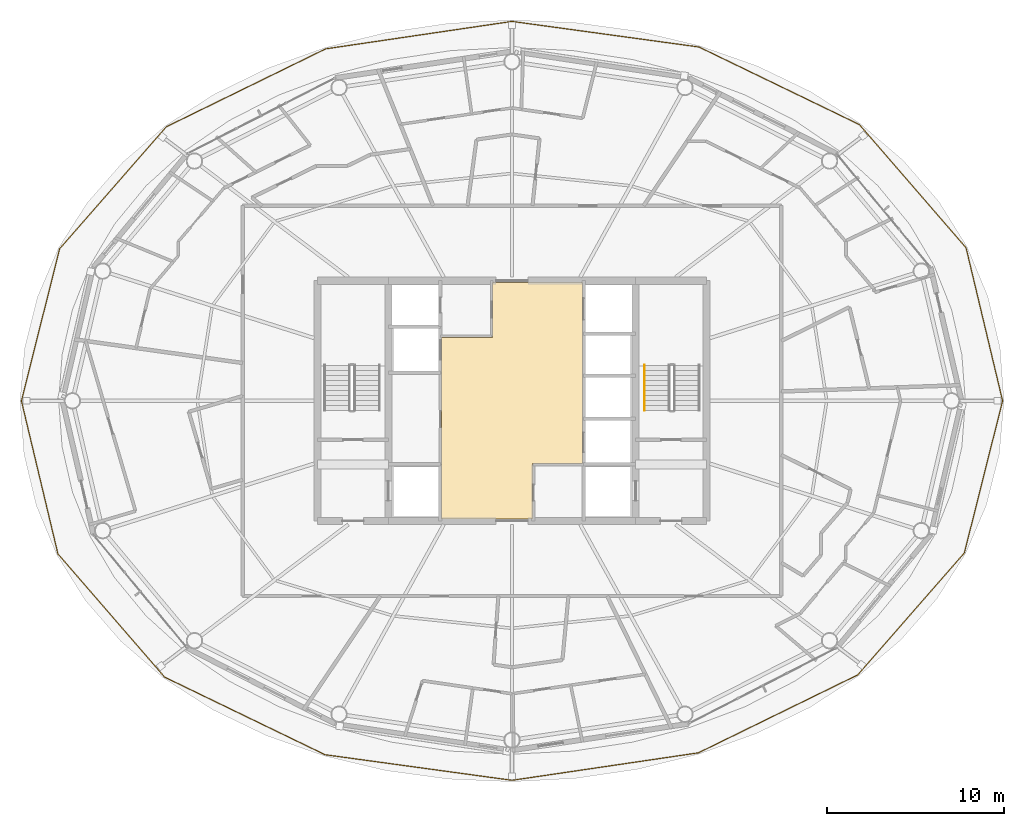
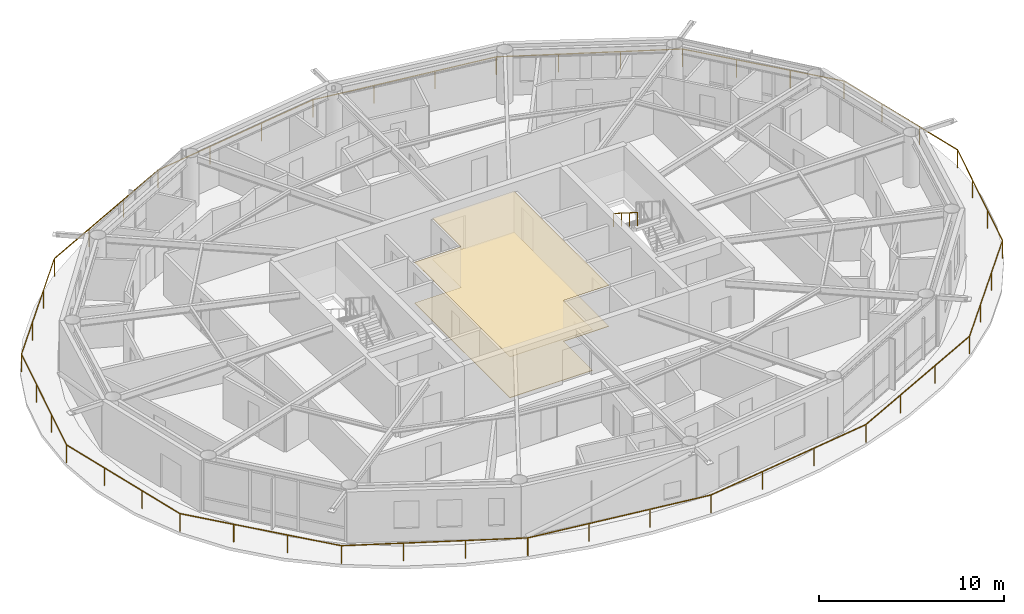
# One storey, part 22 of 23: 2 coverings, 2 railings.
"""IFC4 building model written with IfcOpenShell, lengths in metres."""

import ifcopenshell
import ifcopenshell.guid

model = None  # the IFC model being written
_history = None  # IfcOwnerHistory: only IFC2X3 demands one
_inside = {}  # id of a spatial element -> (the spatial element, [elements in it])
_under = {}  # id of a project, library or spatial element -> (it, [spatial elements below it])
_declared = {}  # id of a project -> (the project, [libraries it declares])
_typed = {}  # id of a type object -> (the type object, [elements of that type])
_made_of = {}  # id of a material, layer set ... -> (it, [elements and type objects made of it])


def new_model(schema):
    """Start an empty IFC model of exactly this schema.

    Asked for "IFC4X3", IfcOpenShell would pick the latest addendum, in which some entities
    have other attributes; the version numbers below select the first issue.
    IFC2X3 requires an IfcOwnerHistory on every rooted entity: one is made here for all.
    """
    global model, _history
    if schema == "IFC4X3":
        model = ifcopenshell.file(schema_version=(4, 3, 0, 0))
    else:
        model = ifcopenshell.file(schema=schema)
    _inside.clear()
    _under.clear()
    _declared.clear()
    _typed.clear()
    _made_of.clear()
    _history = None
    if model.schema == "IFC2X3":
        org = make("IfcOrganization", Name="unknown")
        user = make(
            "IfcPersonAndOrganization",
            ThePerson=make("IfcPerson", FamilyName="unknown"),
            TheOrganization=org,
        )
        app = make(
            "IfcApplication",
            ApplicationDeveloper=org,
            Version="unknown",
            ApplicationFullName="unknown",
            ApplicationIdentifier="unknown",
        )
        _history = make(
            "IfcOwnerHistory",
            OwningUser=user,
            OwningApplication=app,
            ChangeAction="ADDED",
            CreationDate=0,
        )
    return model


def make(cls, **values):
    """One entity of the class cls with the attributes given. An attribute that is None is left unset."""
    return model.create_entity(
        cls, **{name: value for name, value in values.items() if value is not None}
    )


def rooted(cls, **values):
    """An entity with a GlobalId (a new one), such as an element, a storey or a relation."""
    return make(cls, GlobalId=ifcopenshell.guid.new(), OwnerHistory=_history, **values)


def si_unit(unit_type, name, prefix=None):
    """IfcSIUnit, for example si_unit("LENGTHUNIT", "METRE", prefix="MILLI")."""
    return make("IfcSIUnit", UnitType=unit_type, Prefix=prefix, Name=name)


def assignment(units):
    """IfcUnitAssignment: the units of a project."""
    return None if units is None else make("IfcUnitAssignment", Units=units)


def point(xyz):
    """IfcCartesianPoint."""
    return None if xyz is None else make("IfcCartesianPoint", Coordinates=xyz)


def direction(xyz):
    """IfcDirection."""
    return None if xyz is None else make("IfcDirection", DirectionRatios=xyz)


def frame(location, z_axis=None, x_axis=None):
    """IfcAxis2Placement3D, a coordinate frame: its origin and axes. An axis left out is left unset."""
    return make(
        "IfcAxis2Placement3D",
        Location=point(location),
        Axis=direction(z_axis),
        RefDirection=direction(x_axis),
    )


def frame_2d(location, x_axis=None):
    """IfcAxis2Placement2D, a coordinate frame in the plane: its origin and x axis."""
    return make(
        "IfcAxis2Placement2D", Location=point(location), RefDirection=direction(x_axis)
    )


def origin():
    """The frame at (0, 0, 0) with its axes left unset."""
    return frame((0.0, 0.0, 0.0))


def origin_2d():
    """The frame at (0, 0) in the plane with its x axis left unset."""
    return frame_2d((0.0, 0.0))


def place(relative_to, where):
    """IfcLocalPlacement: puts the frame where relative to a parent placement (None: the world)."""
    return make(
        "IfcLocalPlacement", PlacementRelTo=relative_to, RelativePlacement=where
    )


def context(
    kind, dimensions, precision=None, world=None, true_north=None, identifier=None
):
    """IfcGeometricRepresentationContext, for example the 3D "Model" context."""
    return make(
        "IfcGeometricRepresentationContext",
        ContextIdentifier=identifier,
        ContextType=kind,
        CoordinateSpaceDimension=dimensions,
        Precision=precision,
        WorldCoordinateSystem=world,
        TrueNorth=true_north,
    )


def subcontext(parent, identifier, kind, view, scale=None):
    """IfcGeometricRepresentationSubContext, for example "Body" below "Model"."""
    return make(
        "IfcGeometricRepresentationSubContext",
        ContextIdentifier=identifier,
        ContextType=kind,
        ParentContext=parent,
        TargetScale=scale,
        TargetView=view,
    )


def project(units=None, contexts=None):
    """IfcProject with its units and contexts."""
    return rooted(
        "IfcProject",
        Name="project",
        RepresentationContexts=contexts,
        UnitsInContext=assignment(units),
    )


def spatial(cls, under=None, at=None, **own):
    """A site, building, storey or space (cls), placed at a placement, below another one or the project."""
    s = rooted(cls, ObjectPlacement=at, **own)
    if under is not None:
        _under.setdefault(under.id(), (under, []))[1].append(s)
    return s


def polyline(points):
    """IfcPolyline through the points."""
    return make("IfcPolyline", Points=[point(p) for p in points])


def profile(cls, at=None, kind="AREA", **sizes):
    """A parametric profile (cls). Its sizes go by their IFC names, for example OverallWidth=200.0."""
    return make(cls, ProfileType=kind, Position=at, **sizes)


def rectangle(**sizes):
    """IfcRectangleProfileDef."""
    return profile("IfcRectangleProfileDef", **sizes)


def outline(outer, holes=None, kind="AREA"):
    """IfcArbitraryClosedProfileDef: a profile drawn as a closed curve; with holes, ...WithVoids."""
    if holes is None:
        return make("IfcArbitraryClosedProfileDef", ProfileType=kind, OuterCurve=outer)
    return make(
        "IfcArbitraryProfileDefWithVoids",
        ProfileType=kind,
        OuterCurve=outer,
        InnerCurves=holes,
    )


def extrude(swept, where, along, depth):
    """IfcExtrudedAreaSolid: the profile swept, set in the frame where, extruded along a direction by depth."""
    return make(
        "IfcExtrudedAreaSolid",
        SweptArea=swept,
        Position=where,
        ExtrudedDirection=direction(along),
        Depth=depth,
    )


def shape(context_of_items, identifier, shape_type, items):
    """IfcShapeRepresentation: the items that make up one representation, for example the "Body"."""
    return make(
        "IfcShapeRepresentation",
        ContextOfItems=context_of_items,
        RepresentationIdentifier=identifier,
        RepresentationType=shape_type,
        Items=items,
    )


def material(Name=None, Category=None):
    """IfcMaterial."""
    return make("IfcMaterial", Name=Name, Category=Category)


def layer(
    of_material, thickness, ventilated=None, Name=None, Category=None, Priority=None
):
    """IfcMaterialLayer: one layer of a wall or slab, of a material (None: an air gap)."""
    return make(
        "IfcMaterialLayer",
        Material=of_material,
        LayerThickness=thickness,
        IsVentilated=ventilated,
        Name=Name,
        Category=Category,
        Priority=Priority,
    )


def layer_set(layers, Name=None):
    """IfcMaterialLayerSet."""
    return make("IfcMaterialLayerSet", MaterialLayers=layers, LayerSetName=Name)


def made_of(thing, what):
    """Note that an element or type object is made of a material, layer set ...; save() writes the relation."""
    if what is not None:
        _made_of.setdefault(what.id(), (what, []))[1].append(thing)
    return thing


def type_object(cls, material=None, **own):
    """A type object (cls), such as IfcWallType, which elements share."""
    return made_of(rooted(cls, **own), material)


def element(
    cls,
    number,
    at=None,
    inside=None,
    cuts=None,
    type_object=None,
    material=None,
    context=None,
    identifier="Body",
    shape_type=None,
    held_by="IfcProductDefinitionShape",
    body=None,
    shapes=None,
    **own,
):
    """One element of the class cls, such as IfcWall. Its Tag is "e" and its number.

    at: its placement. inside: the storey or other place that contains it. cuts: it is an
    opening in that element (IfcRelVoidsElement). A single representation is given by context,
    identifier, shape_type and body (its items); several are given by shapes. held_by: the class
    of the entity that holds the representations. save() writes the other relations.
    """
    e = rooted(cls, Tag="e%d" % number, ObjectPlacement=at, **own)
    if body is not None:
        shapes = [shape(context, identifier, shape_type, body)]
    if shapes is not None:
        e.Representation = make(held_by, Representations=shapes)
    if inside is not None:
        _inside.setdefault(inside.id(), (inside, []))[1].append(e)
    if cuts is not None:
        rooted(
            "IfcRelVoidsElement", RelatingBuildingElement=cuts, RelatedOpeningElement=e
        )
    if type_object is not None:
        _typed.setdefault(type_object.id(), (type_object, []))[1].append(e)
    return made_of(e, material)


def aggregate(whole, parts):
    """IfcRelAggregates: a whole, such as a stair, and the parts it consists of."""
    return rooted("IfcRelAggregates", RelatingObject=whole, RelatedObjects=parts)


def save(model, path):
    """Write the relations noted so far, then the file.

    IfcRelAggregates (storeys below a building ...), IfcRelContainedInSpatialStructure (elements
    in a storey), IfcRelDefinesByType, IfcRelAssociatesMaterial and IfcRelDeclares: one each for
    every whole, place, type object, material and project.
    """
    for whole, parts in _under.values():
        aggregate(whole, parts)
    for where, things in _inside.values():
        rooted(
            "IfcRelContainedInSpatialStructure",
            RelatedElements=things,
            RelatingStructure=where,
        )
    for kind, things in _typed.values():
        rooted("IfcRelDefinesByType", RelatedObjects=things, RelatingType=kind)
    for what, things in _made_of.values():
        rooted("IfcRelAssociatesMaterial", RelatedObjects=things, RelatingMaterial=what)
    for by, libraries in _declared.values():
        rooted("IfcRelDeclares", RelatingContext=by, RelatedDefinitions=libraries)
    model.write(path)


model = new_model("IFC4")

# Units and contexts
model_context = context("Model", 3, precision=1e-05, world=origin(), true_north=direction((0.0, 1.0)))
body_context = subcontext(model_context, "Body", "Model", "MODEL_VIEW")
ifc_project = project(units=[si_unit("LENGTHUNIT", "METRE"), si_unit("AREAUNIT", "SQUARE_METRE"), si_unit("VOLUMEUNIT", "CUBIC_METRE"), si_unit("PLANEANGLEUNIT", "RADIAN"), si_unit("MASSUNIT", "GRAM", prefix="KILO")], contexts=[model_context])

# Site, building, storey
site_placement = place(None, origin())
site = spatial("IfcSite", under=ifc_project, at=site_placement, CompositionType="ELEMENT")
building_placement = place(site_placement, origin())
building = spatial("IfcBuilding", under=site, at=building_placement, Name="Sarneth Arch Tower", CompositionType="ELEMENT")
storey_placement = place(building_placement, frame((0.0, 0.0, 228.0)))
storey = spatial("IfcBuildingStorey", under=building, at=storey_placement, Name="L58", CompositionType="ELEMENT", Elevation=228.0)

# Coverings
ifc_material_1 = material(Name="Perforated acoustic gypsum ceiling board")
ifc_layer_1 = layer(ifc_material_1, 0.02490234375)
ifc_layer_set_1 = layer_set([ifc_layer_1], Name="Perforated acoustic gypsum ceiling board")
covering_type_1 = type_object("IfcCoveringType", Name="COV-CEIL-GYP", PredefinedType="CEILING", material=ifc_layer_set_1)
covering_1_placement = place(storey_placement, frame((0.0, 0.0, 2.68994140625)))
element("IfcCovering", 1, at=covering_1_placement, inside=storey, type_object=covering_type_1, Name="L58 Lift lobby acoustic ceiling", PredefinedType="CEILING", context=body_context, shape_type="SweptSolid", body=[
    extrude(outline(polyline([(49.14990234375, 38.449951171875), (49.14990234375, 35.300048828125), (44.0, 35.300048828125), (44.0, 45.60009765625), (46.89990234375, 45.60009765625), (46.89990234375, 48.699951171875), (52.0, 48.699951171875), (52.0, 38.449951171875), (49.14990234375, 38.449951171875)])), origin(), (0.0, 0.0, 1.0), 0.030029296875),
])
ifc_material_2 = material(Name="Honed granite stone flooring", Category="masonry")
ifc_layer_2 = layer(ifc_material_2, 0.030029296875)
ifc_layer_set_2 = layer_set([ifc_layer_2], Name="Honed granite stone flooring")
covering_type_2 = type_object("IfcCoveringType", Name="COV-FLR-STONE", PredefinedType="FLOORING", material=ifc_layer_set_2)
covering_2_placement = place(storey_placement, origin())
element("IfcCovering", 2, at=covering_2_placement, inside=storey, type_object=covering_type_2, Name="L58 Lift lobby granite flooring", PredefinedType="FLOORING", context=body_context, shape_type="SweptSolid", body=[
    extrude(outline(polyline([(49.14990234375, 38.449951171875), (49.14990234375, 35.300048828125), (44.0, 35.300048828125), (44.0, 45.60009765625), (46.89990234375, 45.60009765625), (46.89990234375, 48.699951171875), (52.0, 48.699951171875), (52.0, 38.449951171875), (49.14990234375, 38.449951171875)])), origin(), (0.0, 0.0, 1.0), 0.030029296875),
])

# Railings
ifc_material_3 = material(Name="Laminated structural glass infill with Stainless Steel 316 top rail and posts", Category="steel")
railing_type_1 = type_object("IfcRailingType", Name="RAIL-BALC-1200", PredefinedType="BALUSTRADE", material=ifc_material_3)
railing_1_placement = place(storey_placement, frame((75.771240234375, 42.0, 0.0)))
element("IfcRailing", 3, at=railing_1_placement, inside=storey, type_object=railing_type_1, Name="L58 Helical balcony glass balustrade", PredefinedType="BALUSTRADE", context=body_context, shape_type="SweptSolid", body=[
    extrude(rectangle(XDim=0.048095703125, YDim=0.048095703125, at=origin_2d()), frame((0.0, 0.0, 1.17578125), z_axis=(-0.232119489564, 0.972687278916, 0.0), x_axis=(-0.972687278916, -0.232119489564, 0.0)), (0.0, 0.0, 1.0), 8.90771484375),
    extrude(rectangle(XDim=0.048095703125, YDim=0.048095703125, at=origin_2d()), frame((-2.067626953125, 8.664306640625, 1.17578125), z_axis=(-0.654633322605, 0.755946567513, 0.0), x_axis=(-0.755946567513, -0.654633322605, 0.0)), (0.0, 0.0, 1.0), 9.22705078125),
    extrude(rectangle(XDim=0.048095703125, YDim=0.048095703125, at=origin_2d()), frame((-8.10791015625, 15.639404296875, 1.17578125), z_axis=(-0.900246181565, 0.435381226718, 0.0), x_axis=(-0.435381226718, -0.900246181565, 0.0)), (0.0, 0.0, 1.0), 10.085693359375),
    extrude(rectangle(XDim=0.048095703125, YDim=0.048095703125, at=origin_2d()), frame((-17.1875, 20.030517578125, 1.17578125), z_axis=(-0.990755055436, 0.135662891492, 0.0), x_axis=(-0.135662891492, -0.990755055436, 0.0)), (0.0, 0.0, 1.0), 10.6826171875),
    extrude(rectangle(XDim=0.048095703125, YDim=0.048095703125, at=origin_2d()), frame((-27.771240234375, 21.479736328125, 1.17578125), z_axis=(-0.989310134259, -0.145826809099, 0.0), x_axis=(0.145826809099, -0.989310134259, 0.0)), (0.0, 0.0, 1.0), 10.66455078125),
    extrude(rectangle(XDim=0.048095703125, YDim=0.048095703125, at=origin_2d()), frame((-38.32177734375, 19.924560546875, 1.17578125), z_axis=(-0.898308221869, -0.439365836772, 0.0), x_axis=(0.439365836772, -0.898308221869, 0.0)), (0.0, 0.0, 1.0), 10.039306640625),
    extrude(rectangle(XDim=0.048095703125, YDim=0.048095703125, at=origin_2d()), frame((-47.340087890625, 15.513671875, 1.17578125), z_axis=(-0.658318010523, -0.752739926549, 0.0), x_axis=(0.752739926549, -0.658318010523, 0.0)), (0.0, 0.0, 1.0), 9.171142578125),
    extrude(rectangle(XDim=0.048095703125, YDim=0.048095703125, at=origin_2d()), frame((-53.377685546875, 8.610107421875, 1.17578125), z_axis=(-0.243835960454, -0.969816490058, 0.0), x_axis=(0.969816490058, -0.243835960454, 0.0)), (0.0, 0.0, 1.0), 8.878173828125),
    extrude(rectangle(XDim=0.048095703125, YDim=0.048095703125, at=origin_2d()), frame((-55.54248046875, 0.0, 1.17578125), z_axis=(0.232119489564, -0.972687278916, 0.0), x_axis=(0.972687278916, 0.232119489564, 0.0)), (0.0, 0.0, 1.0), 8.90771484375),
    extrude(rectangle(XDim=0.048095703125, YDim=0.048095703125, at=origin_2d()), frame((-53.474853515625, -8.664306640625, 1.17578125), z_axis=(0.654633322605, -0.755946567513, 0.0), x_axis=(0.755946567513, 0.654633322605, 0.0)), (0.0, 0.0, 1.0), 9.22705078125),
    extrude(rectangle(XDim=0.048095703125, YDim=0.048095703125, at=origin_2d()), frame((-47.4345703125, -15.639404296875, 1.17578125), z_axis=(0.900246181565, -0.435381226718, 0.0), x_axis=(0.435381226718, 0.900246181565, 0.0)), (0.0, 0.0, 1.0), 10.085693359375),
    extrude(rectangle(XDim=0.048095703125, YDim=0.048095703125, at=origin_2d()), frame((-38.35498046875, -20.030517578125, 1.17578125), z_axis=(0.990755055436, -0.135662891492, 0.0), x_axis=(0.135662891492, 0.990755055436, 0.0)), (0.0, 0.0, 1.0), 10.6826171875),
    extrude(rectangle(XDim=0.048095703125, YDim=0.048095703125, at=origin_2d()), frame((-27.771240234375, -21.479736328125, 1.17578125), z_axis=(0.989310134259, 0.145826809099, 0.0), x_axis=(-0.145826809099, 0.989310134259, 0.0)), (0.0, 0.0, 1.0), 10.66455078125),
    extrude(rectangle(XDim=0.048095703125, YDim=0.048095703125, at=origin_2d()), frame((-17.220703125, -19.924560546875, 1.17578125), z_axis=(0.898308221869, 0.439365836772, 0.0), x_axis=(-0.439365836772, 0.898308221869, 0.0)), (0.0, 0.0, 1.0), 10.039306640625),
    extrude(rectangle(XDim=0.048095703125, YDim=0.048095703125, at=origin_2d()), frame((-8.202392578125, -15.513671875, 1.17578125), z_axis=(0.658318010523, 0.752739926549, 0.0), x_axis=(-0.752739926549, 0.658318010523, 0.0)), (0.0, 0.0, 1.0), 9.171142578125),
    extrude(rectangle(XDim=0.048095703125, YDim=0.048095703125, at=origin_2d()), frame((-2.164794921875, -8.610107421875, 1.17578125), z_axis=(0.243835960454, 0.969816490058, 0.0), x_axis=(-0.969816490058, 0.243835960454, 0.0)), (0.0, 0.0, 1.0), 8.878173828125),
    extrude(rectangle(XDim=0.0419921875, YDim=0.0419921875, at=origin_2d()), origin(), (0.0, 0.0, 1.0), 1.15185546875),
    extrude(rectangle(XDim=0.0419921875, YDim=0.0419921875, at=origin_2d()), frame((-0.689208984375, 2.88818359375, 0.0)), (0.0, 0.0, 1.0), 1.15185546875),
    extrude(rectangle(XDim=0.0419921875, YDim=0.0419921875, at=origin_2d()), frame((-1.37841796875, 5.776123046875, 0.0)), (0.0, 0.0, 1.0), 1.15185546875),
    extrude(rectangle(XDim=0.0419921875, YDim=0.0419921875, at=origin_2d()), frame((-2.067626953125, 8.664306640625, 0.0)), (0.0, 0.0, 1.0), 1.15185546875),
    extrude(rectangle(XDim=0.0419921875, YDim=0.0419921875, at=origin_2d()), frame((-4.0810546875, 10.9892578125, 0.0)), (0.0, 0.0, 1.0), 1.15185546875),
    extrude(rectangle(XDim=0.0419921875, YDim=0.0419921875, at=origin_2d()), frame((-6.094482421875, 13.314453125, 0.0)), (0.0, 0.0, 1.0), 1.15185546875),
    extrude(rectangle(XDim=0.0419921875, YDim=0.0419921875, at=origin_2d()), frame((-8.10791015625, 15.639404296875, 0.0)), (0.0, 0.0, 1.0), 1.15185546875),
    extrude(rectangle(XDim=0.0419921875, YDim=0.0419921875, at=origin_2d()), frame((-11.134521484375, 17.10302734375, 0.0)), (0.0, 0.0, 1.0), 1.15185546875),
    extrude(rectangle(XDim=0.0419921875, YDim=0.0419921875, at=origin_2d()), frame((-14.160888671875, 18.56689453125, 0.0)), (0.0, 0.0, 1.0), 1.15185546875),
    extrude(rectangle(XDim=0.0419921875, YDim=0.0419921875, at=origin_2d()), frame((-17.1875, 20.030517578125, 0.0)), (0.0, 0.0, 1.0), 1.15185546875),
    extrude(rectangle(XDim=0.0419921875, YDim=0.0419921875, at=origin_2d()), frame((-20.71533203125, 20.513671875, 0.0)), (0.0, 0.0, 1.0), 1.15185546875),
    extrude(rectangle(XDim=0.0419921875, YDim=0.0419921875, at=origin_2d()), frame((-24.243408203125, 20.99658203125, 0.0)), (0.0, 0.0, 1.0), 1.15185546875),
    extrude(rectangle(XDim=0.0419921875, YDim=0.0419921875, at=origin_2d()), frame((-27.771240234375, 21.479736328125, 0.0)), (0.0, 0.0, 1.0), 1.15185546875),
    extrude(rectangle(XDim=0.0419921875, YDim=0.0419921875, at=origin_2d()), frame((-31.2880859375, 20.96142578125, 0.0)), (0.0, 0.0, 1.0), 1.15185546875),
    extrude(rectangle(XDim=0.0419921875, YDim=0.0419921875, at=origin_2d()), frame((-34.804931640625, 20.44287109375, 0.0)), (0.0, 0.0, 1.0), 1.15185546875),
    extrude(rectangle(XDim=0.0419921875, YDim=0.0419921875, at=origin_2d()), frame((-38.32177734375, 19.924560546875, 0.0)), (0.0, 0.0, 1.0), 1.15185546875),
    extrude(rectangle(XDim=0.0419921875, YDim=0.0419921875, at=origin_2d()), frame((-41.327880859375, 18.454345703125, 0.0)), (0.0, 0.0, 1.0), 1.15185546875),
    extrude(rectangle(XDim=0.0419921875, YDim=0.0419921875, at=origin_2d()), frame((-44.333984375, 16.98388671875, 0.0)), (0.0, 0.0, 1.0), 1.15185546875),
    extrude(rectangle(XDim=0.0419921875, YDim=0.0419921875, at=origin_2d()), frame((-47.340087890625, 15.513671875, 0.0)), (0.0, 0.0, 1.0), 1.15185546875),
    extrude(rectangle(XDim=0.0419921875, YDim=0.0419921875, at=origin_2d()), frame((-49.3525390625, 13.21240234375, 0.0)), (0.0, 0.0, 1.0), 1.15185546875),
    extrude(rectangle(XDim=0.0419921875, YDim=0.0419921875, at=origin_2d()), frame((-51.365234375, 10.911376953125, 0.0)), (0.0, 0.0, 1.0), 1.15185546875),
    extrude(rectangle(XDim=0.0419921875, YDim=0.0419921875, at=origin_2d()), frame((-53.377685546875, 8.610107421875, 0.0)), (0.0, 0.0, 1.0), 1.15185546875),
    extrude(rectangle(XDim=0.0419921875, YDim=0.0419921875, at=origin_2d()), frame((-54.099365234375, 5.739990234375, 0.0)), (0.0, 0.0, 1.0), 1.15185546875),
    extrude(rectangle(XDim=0.0419921875, YDim=0.0419921875, at=origin_2d()), frame((-54.82080078125, 2.8701171875, 0.0)), (0.0, 0.0, 1.0), 1.15185546875),
    extrude(rectangle(XDim=0.0419921875, YDim=0.0419921875, at=origin_2d()), frame((-55.54248046875, 0.0, 0.0)), (0.0, 0.0, 1.0), 1.15185546875),
    extrude(rectangle(XDim=0.0419921875, YDim=0.0419921875, at=origin_2d()), frame((-54.853271484375, -2.88818359375, 0.0)), (0.0, 0.0, 1.0), 1.15185546875),
    extrude(rectangle(XDim=0.0419921875, YDim=0.0419921875, at=origin_2d()), frame((-54.1640625, -5.776123046875, 0.0)), (0.0, 0.0, 1.0), 1.15185546875),
    extrude(rectangle(XDim=0.0419921875, YDim=0.0419921875, at=origin_2d()), frame((-53.474853515625, -8.664306640625, 0.0)), (0.0, 0.0, 1.0), 1.15185546875),
    extrude(rectangle(XDim=0.0419921875, YDim=0.0419921875, at=origin_2d()), frame((-51.46142578125, -10.9892578125, 0.0)), (0.0, 0.0, 1.0), 1.15185546875),
    extrude(rectangle(XDim=0.0419921875, YDim=0.0419921875, at=origin_2d()), frame((-49.447998046875, -13.314453125, 0.0)), (0.0, 0.0, 1.0), 1.15185546875),
    extrude(rectangle(XDim=0.0419921875, YDim=0.0419921875, at=origin_2d()), frame((-47.4345703125, -15.639404296875, 0.0)), (0.0, 0.0, 1.0), 1.15185546875),
    extrude(rectangle(XDim=0.0419921875, YDim=0.0419921875, at=origin_2d()), frame((-44.407958984375, -17.10302734375, 0.0)), (0.0, 0.0, 1.0), 1.15185546875),
    extrude(rectangle(XDim=0.0419921875, YDim=0.0419921875, at=origin_2d()), frame((-41.381591796875, -18.56689453125, 0.0)), (0.0, 0.0, 1.0), 1.15185546875),
    extrude(rectangle(XDim=0.0419921875, YDim=0.0419921875, at=origin_2d()), frame((-38.35498046875, -20.030517578125, 0.0)), (0.0, 0.0, 1.0), 1.15185546875),
    extrude(rectangle(XDim=0.0419921875, YDim=0.0419921875, at=origin_2d()), frame((-34.8271484375, -20.513671875, 0.0)), (0.0, 0.0, 1.0), 1.15185546875),
    extrude(rectangle(XDim=0.0419921875, YDim=0.0419921875, at=origin_2d()), frame((-31.299072265625, -20.99658203125, 0.0)), (0.0, 0.0, 1.0), 1.15185546875),
    extrude(rectangle(XDim=0.0419921875, YDim=0.0419921875, at=origin_2d()), frame((-27.771240234375, -21.479736328125, 0.0)), (0.0, 0.0, 1.0), 1.15185546875),
    extrude(rectangle(XDim=0.0419921875, YDim=0.0419921875, at=origin_2d()), frame((-24.25439453125, -20.96142578125, 0.0)), (0.0, 0.0, 1.0), 1.15185546875),
    extrude(rectangle(XDim=0.0419921875, YDim=0.0419921875, at=origin_2d()), frame((-20.737548828125, -20.44287109375, 0.0)), (0.0, 0.0, 1.0), 1.15185546875),
    extrude(rectangle(XDim=0.0419921875, YDim=0.0419921875, at=origin_2d()), frame((-17.220703125, -19.924560546875, 0.0)), (0.0, 0.0, 1.0), 1.15185546875),
    extrude(rectangle(XDim=0.0419921875, YDim=0.0419921875, at=origin_2d()), frame((-14.214599609375, -18.454345703125, 0.0)), (0.0, 0.0, 1.0), 1.15185546875),
    extrude(rectangle(XDim=0.0419921875, YDim=0.0419921875, at=origin_2d()), frame((-11.20849609375, -16.98388671875, 0.0)), (0.0, 0.0, 1.0), 1.15185546875),
    extrude(rectangle(XDim=0.0419921875, YDim=0.0419921875, at=origin_2d()), frame((-8.202392578125, -15.513671875, 0.0)), (0.0, 0.0, 1.0), 1.15185546875),
    extrude(rectangle(XDim=0.0419921875, YDim=0.0419921875, at=origin_2d()), frame((-6.18994140625, -13.21240234375, 0.0)), (0.0, 0.0, 1.0), 1.15185546875),
    extrude(rectangle(XDim=0.0419921875, YDim=0.0419921875, at=origin_2d()), frame((-4.17724609375, -10.911376953125, 0.0)), (0.0, 0.0, 1.0), 1.15185546875),
    extrude(rectangle(XDim=0.0419921875, YDim=0.0419921875, at=origin_2d()), frame((-2.164794921875, -8.610107421875, 0.0)), (0.0, 0.0, 1.0), 1.15185546875),
    extrude(rectangle(XDim=0.0419921875, YDim=0.0419921875, at=origin_2d()), frame((-1.443115234375, -5.739990234375, 0.0)), (0.0, 0.0, 1.0), 1.15185546875),
    extrude(rectangle(XDim=0.0419921875, YDim=0.0419921875, at=origin_2d()), frame((-0.7216796875, -2.8701171875, 0.0)), (0.0, 0.0, 1.0), 1.15185546875),
])
ifc_material_4 = material(Name="Brushed Stainless Steel 304 tubular handrail", Category="steel")
railing_type_2 = type_object("IfcRailingType", Name="RAIL-HANDRAIL-900", PredefinedType="HANDRAIL", material=ifc_material_4)
railing_2_placement = place(storey_placement, frame((55.5, 44.014892578125, 1.97998046875)))
element("IfcRailing", 4, at=railing_2_placement, inside=storey, type_object=railing_type_2, Name="L58 ST-2 stair handrail 2", PredefinedType="HANDRAIL", context=body_context, shape_type="SweptSolid", body=[
    extrude(rectangle(XDim=0.048095703125, YDim=0.048095703125, at=origin_2d()), frame((0.0, 0.0, 0.8759765625), z_axis=(0.0, -0.845465955043, 0.534029323973), x_axis=(1.0, 0.0, 0.0)), (0.0, 0.0, 1.0), 3.03369140625),
    extrude(rectangle(XDim=0.0419921875, YDim=0.0419921875, at=origin_2d()), origin(), (0.0, 0.0, 1.0), 0.851806640625),
    extrude(rectangle(XDim=0.0419921875, YDim=0.0419921875, at=origin_2d()), frame((0.0, -0.85498046875, 0.5400390625)), (0.0, 0.0, 1.0), 0.851806640625),
    extrude(rectangle(XDim=0.0419921875, YDim=0.0419921875, at=origin_2d()), frame((0.0, -1.7099609375, 1.080078125)), (0.0, 0.0, 1.0), 0.851806640625),
    extrude(rectangle(XDim=0.0419921875, YDim=0.0419921875, at=origin_2d()), frame((0.0, -2.56494140625, 1.6201171875)), (0.0, 0.0, 1.0), 0.851806640625),
])

save(model, "model.ifc")
